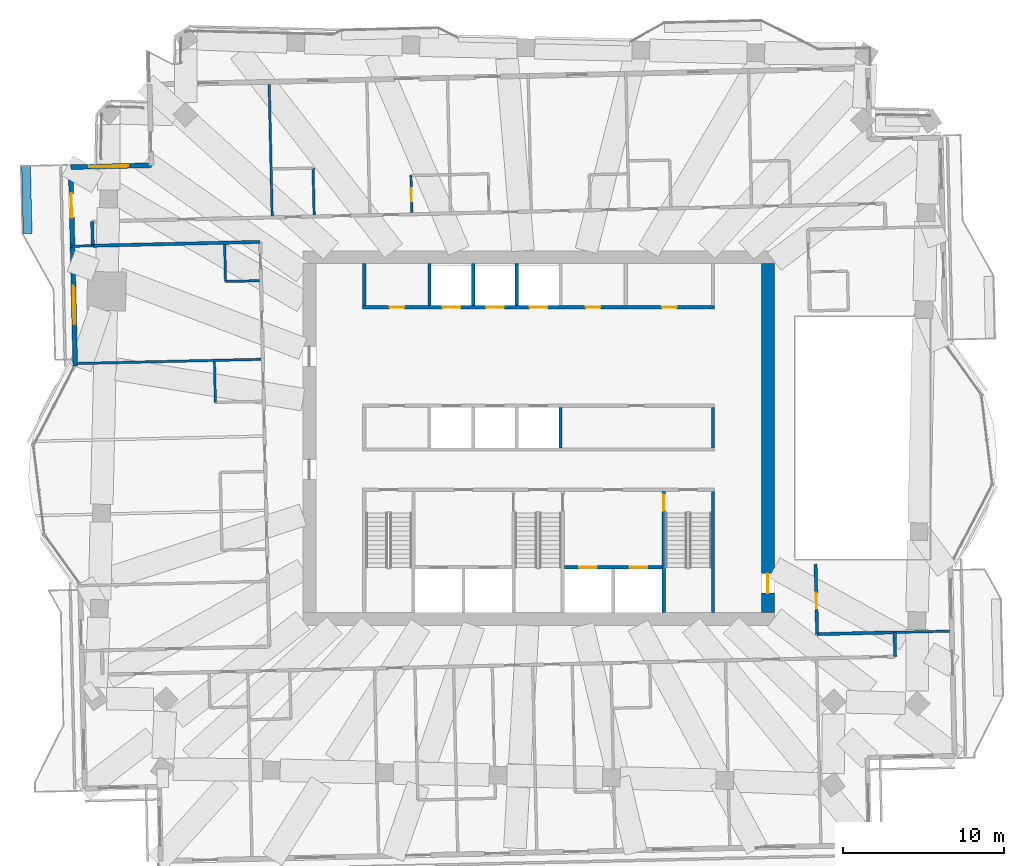
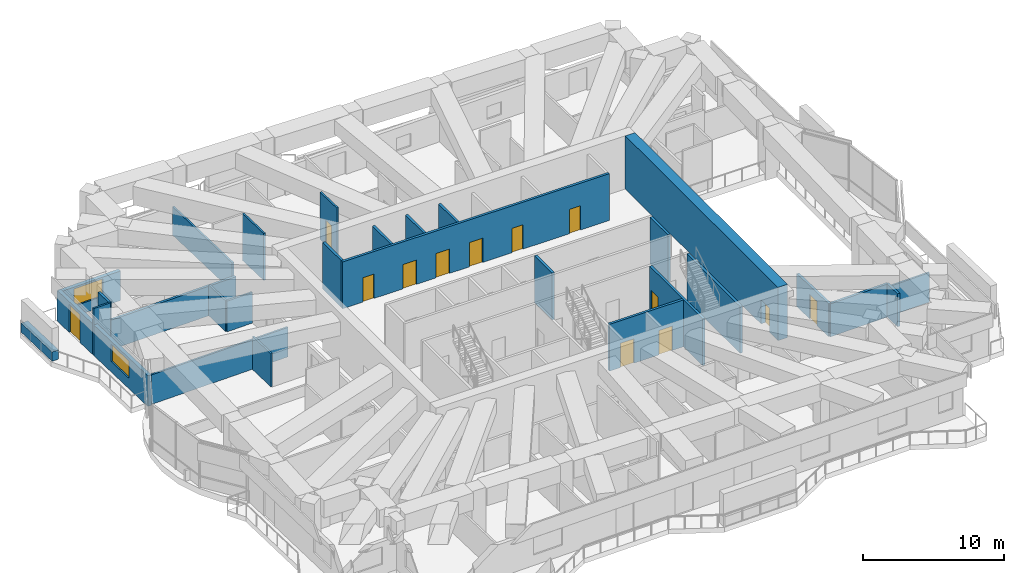
# One storey, part 12 of 19: 28 walls, 13 doors, 2 windows, 15 openings.
"""IFC4 building model written with IfcOpenShell, lengths in metres."""

from ifc_helpers import new_model, si_unit, direction, frame, frame_2d, origin, place, context, subcontext, project, spatial, rectangle, extrude, material, layer, layer_set, type_object, element, fill, save


model = new_model("IFC4")

# Units and contexts
model_context = context("Model", 3, precision=1e-05, world=origin(), true_north=direction((0.0, 1.0)))
body_context = subcontext(model_context, "Body", "Model", "MODEL_VIEW")
ifc_project = project(units=[si_unit("LENGTHUNIT", "METRE"), si_unit("AREAUNIT", "SQUARE_METRE"), si_unit("VOLUMEUNIT", "CUBIC_METRE"), si_unit("PLANEANGLEUNIT", "RADIAN"), si_unit("MASSUNIT", "GRAM", prefix="KILO")], contexts=[model_context])

# Site, building, storey
site_placement = place(None, origin())
site = spatial("IfcSite", under=ifc_project, at=site_placement, CompositionType="ELEMENT")
building_placement = place(site_placement, origin())
building = spatial("IfcBuilding", under=site, at=building_placement, Name="Mangrove Gate Tower", CompositionType="ELEMENT")
storey_placement = place(building_placement, frame((0.0, 0.0, 226.5)))
storey = spatial("IfcBuildingStorey", under=building, at=storey_placement, Name="L57", CompositionType="ELEMENT", Elevation=226.5)

# Walls
ifc_material_1 = material(Name="Concrete C32/40", Category="concrete")
ifc_layer_1 = layer(ifc_material_1, 0.199951171875)
ifc_layer_set_1 = layer_set([ifc_layer_1], Name="Core room wall 200 C32/40")
wall_type_1 = type_object("IfcWallType", Name="Core room wall 200 C32/40", PredefinedType="STANDARD", material=ifc_layer_set_1)
wall_1_placement = place(storey_placement, frame((10.800048828125, -0.60009765625, 0.0), z_axis=(0.0, 0.0, 1.0), x_axis=(0.0, 1.0, 0.0)))
element("IfcWall", 1, at=wall_1_placement, inside=storey, type_object=wall_type_1, Name="WALL-L57-CORE-24", PredefinedType="STANDARD", context=body_context, shape_type="SweptSolid", body=[
    extrude(rectangle(XDim=2.5, YDim=0.199951171875, at=frame_2d((1.25, 0.0))), origin(), (0.0, 0.0, 1.0), 4.050048828125),
])
wall_2_placement = place(storey_placement, frame((-10.800048828125, 8.199951171875, 0.0), z_axis=(0.0, 0.0, 1.0), x_axis=(0.0, 1.0, 0.0)))
element("IfcWall", 2, at=wall_2_placement, inside=storey, type_object=wall_type_1, Name="WALL-L57-CORE-25", PredefinedType="STANDARD", context=body_context, shape_type="SweptSolid", body=[
    extrude(rectangle(XDim=2.60009765625, YDim=0.199951171875, at=frame_2d((1.300048828125, 0.0))), origin(), (0.0, 0.0, 1.0), 4.050048828125),
])

# Wall, openings, doors
ifc_material_2 = material(Name="Concrete C60/75", Category="concrete")
ifc_layer_2 = layer(ifc_material_2, 0.199951171875)
ifc_layer_set_2 = layer_set([ifc_layer_2], Name="Core shaft wall 200 C60/75")
wall_type_2 = type_object("IfcWallType", Name="Core shaft wall 200 C60/75", PredefinedType="SHEAR", material=ifc_layer_set_2)
wall_3_placement = place(storey_placement, frame((-10.89990234375, 8.10009765625, 0.0), z_axis=(0.0, 0.0, 1.0), x_axis=(1.0, 0.0, 0.0)))
wall_3 = element("IfcWall", 3, at=wall_3_placement, inside=storey, type_object=wall_type_2, Name="WALL-L57-CORE-8", PredefinedType="SHEAR", context=body_context, shape_type="SweptSolid", body=[
    extrude(rectangle(XDim=21.7998046875, YDim=0.199951171875, at=frame_2d((10.89990234375, 0.0))), origin(), (0.0, 0.0, 1.0), 4.050048828125),
])
opening_1_placement = place(wall_3_placement, frame((4.949951171875, 0.0, 0.0)))
opening_1 = element("IfcOpeningElement", 4, at=opening_1_placement, cuts=wall_3, Name="Opening LD", PredefinedType="OPENING", context=body_context, shape_type="SweptSolid", body=[
    extrude(rectangle(XDim=1.10009765625, YDim=2.10009765625, at=frame_2d((0.550048828125, 1.050048828125))), frame((0.0, 0.10986328125, 0.0), z_axis=(0.0, -1.0, 0.0), x_axis=(1.0, 0.0, 0.0)), (0.0, 0.0, 1.0), 0.219970703125),
])
opening_2_placement = place(wall_3_placement, frame((7.64990234375, 0.0, 0.0)))
opening_2 = element("IfcOpeningElement", 5, at=opening_2_placement, cuts=wall_3, Name="Opening LD", PredefinedType="OPENING", context=body_context, shape_type="SweptSolid", body=[
    extrude(rectangle(XDim=1.10009765625, YDim=2.10009765625, at=frame_2d((0.550048828125, 1.050048828125))), frame((0.0, 0.10986328125, 0.0), z_axis=(0.0, -1.0, 0.0), x_axis=(1.0, 0.0, 0.0)), (0.0, 0.0, 1.0), 0.219970703125),
])
opening_3_placement = place(wall_3_placement, frame((10.35009765625, 0.0, 0.0)))
opening_3 = element("IfcOpeningElement", 6, at=opening_3_placement, cuts=wall_3, Name="Opening LD", PredefinedType="OPENING", context=body_context, shape_type="SweptSolid", body=[
    extrude(rectangle(XDim=1.10009765625, YDim=2.10009765625, at=frame_2d((0.550048828125, 1.050048828125))), frame((0.0, 0.10986328125, 0.0), z_axis=(0.0, -1.0, 0.0), x_axis=(1.0, 0.0, 0.0)), (0.0, 0.0, 1.0), 0.219970703125),
])
opening_4_placement = place(wall_3_placement, frame((1.675048828125, 0.0, 0.0)))
opening_4 = element("IfcOpeningElement", 7, at=opening_4_placement, cuts=wall_3, Name="Opening RD", PredefinedType="OPENING", context=body_context, shape_type="SweptSolid", body=[
    extrude(rectangle(XDim=0.89990234375, YDim=2.10009765625, at=frame_2d((0.449951171875, 1.050048828125))), frame((0.0, 0.10986328125, 0.0), z_axis=(0.0, -1.0, 0.0), x_axis=(1.0, 0.0, 0.0)), (0.0, 0.0, 1.0), 0.219970703125),
])
opening_5_placement = place(wall_3_placement, frame((13.824951171875, 0.0, 0.0)))
opening_5 = element("IfcOpeningElement", 8, at=opening_5_placement, cuts=wall_3, Name="Opening RD", PredefinedType="OPENING", context=body_context, shape_type="SweptSolid", body=[
    extrude(rectangle(XDim=0.89990234375, YDim=2.10009765625, at=frame_2d((0.449951171875, 1.050048828125))), frame((0.0, 0.10986328125, 0.0), z_axis=(0.0, -1.0, 0.0), x_axis=(1.0, 0.0, 0.0)), (0.0, 0.0, 1.0), 0.219970703125),
])
opening_6_placement = place(wall_3_placement, frame((18.550048828125, 0.0, 0.0)))
opening_6 = element("IfcOpeningElement", 9, at=opening_6_placement, cuts=wall_3, Name="Opening KD", PredefinedType="OPENING", context=body_context, shape_type="SweptSolid", body=[
    extrude(rectangle(XDim=0.89990234375, YDim=2.10009765625, at=frame_2d((0.449951171875, 1.050048828125))), frame((0.0, 0.10986328125, 0.0), z_axis=(0.0, -1.0, 0.0), x_axis=(1.0, 0.0, 0.0)), (0.0, 0.0, 1.0), 0.219970703125),
])
ifc_material_3 = material(Name="Fire-rated steel door set", Category="steel")
door_type_1 = type_object("IfcDoorType", Name="Core room door FD30S 900x2100", OperationType="SINGLE_SWING_RIGHT", PredefinedType="DOOR", material=ifc_material_3)
door_1_placement = place(opening_6_placement, origin())
door_1 = element("IfcDoor", 10, at=door_1_placement, inside=storey, type_object=door_type_1, Name="Core room door Core WC", OperationType="SINGLE_SWING_RIGHT", OverallHeight=2.10009765625, OverallWidth=0.89990234375, PredefinedType="DOOR", context=body_context, shape_type="SweptSolid", body=[
    extrude(rectangle(XDim=0.89990234375, YDim=2.10009765625, at=frame_2d((0.449951171875, 1.050048828125))), frame((0.0, 0.02490234375, 0.0), z_axis=(0.0, -1.0, 0.0), x_axis=(1.0, 0.0, 0.0)), (0.0, 0.0, 1.0), 0.050048828125),
])
fill(opening_6, door_1)
ifc_material_4 = material(Name="Stainless steel 316", Category="steel")
door_type_2 = type_object("IfcDoorType", Name="Lift landing door 1100x2100", OperationType="SLIDING_TO_LEFT", PredefinedType="DOOR", material=ifc_material_4)
door_2_placement = place(opening_1_placement, origin())
door_2 = element("IfcDoor", 11, at=door_2_placement, inside=storey, type_object=door_type_2, Name="Landing door LD H04", OperationType="SLIDING_TO_LEFT", OverallHeight=2.10009765625, OverallWidth=1.10009765625, PredefinedType="DOOR", context=body_context, shape_type="SweptSolid", body=[
    extrude(rectangle(XDim=1.10009765625, YDim=2.10009765625, at=frame_2d((0.550048828125, 1.050048828125))), frame((0.0, 0.02490234375, 0.0), z_axis=(0.0, -1.0, 0.0), x_axis=(1.0, 0.0, 0.0)), (0.0, 0.0, 1.0), 0.050048828125),
])
fill(opening_1, door_2)
door_3_placement = place(opening_2_placement, origin())
door_3 = element("IfcDoor", 12, at=door_3_placement, inside=storey, type_object=door_type_2, Name="Landing door LD H05", OperationType="SLIDING_TO_LEFT", OverallHeight=2.10009765625, OverallWidth=1.10009765625, PredefinedType="DOOR", context=body_context, shape_type="SweptSolid", body=[
    extrude(rectangle(XDim=1.10009765625, YDim=2.10009765625, at=frame_2d((0.550048828125, 1.050048828125))), frame((0.0, 0.02490234375, 0.0), z_axis=(0.0, -1.0, 0.0), x_axis=(1.0, 0.0, 0.0)), (0.0, 0.0, 1.0), 0.050048828125),
])
fill(opening_2, door_3)
door_4_placement = place(opening_3_placement, origin())
door_4 = element("IfcDoor", 13, at=door_4_placement, inside=storey, type_object=door_type_2, Name="Landing door LD H06", OperationType="SLIDING_TO_LEFT", OverallHeight=2.10009765625, OverallWidth=1.10009765625, PredefinedType="DOOR", context=body_context, shape_type="SweptSolid", body=[
    extrude(rectangle(XDim=1.10009765625, YDim=2.10009765625, at=frame_2d((0.550048828125, 1.050048828125))), frame((0.0, 0.02490234375, 0.0), z_axis=(0.0, -1.0, 0.0), x_axis=(1.0, 0.0, 0.0)), (0.0, 0.0, 1.0), 0.050048828125),
])
fill(opening_3, door_4)
ifc_material_5 = material(Name="Fire-rated steel door set", Category="steel")
door_type_3 = type_object("IfcDoorType", Name="Riser door FD30S 900x2100", OperationType="SINGLE_SWING_LEFT", PredefinedType="DOOR", material=ifc_material_5)
door_5_placement = place(opening_4_placement, origin())
door_5 = element("IfcDoor", 14, at=door_5_placement, inside=storey, type_object=door_type_3, Name="Riser door Switch room", OperationType="SINGLE_SWING_LEFT", OverallHeight=2.10009765625, OverallWidth=0.89990234375, PredefinedType="DOOR", context=body_context, shape_type="SweptSolid", body=[
    extrude(rectangle(XDim=0.89990234375, YDim=2.10009765625, at=frame_2d((0.449951171875, 1.050048828125))), frame((0.0, 0.02490234375, 0.0), z_axis=(0.0, -1.0, 0.0), x_axis=(1.0, 0.0, 0.0)), (0.0, 0.0, 1.0), 0.050048828125),
])
fill(opening_4, door_5)
door_6_placement = place(opening_5_placement, origin())
door_6 = element("IfcDoor", 15, at=door_6_placement, inside=storey, type_object=door_type_3, Name="Riser door Comms room", OperationType="SINGLE_SWING_LEFT", OverallHeight=2.10009765625, OverallWidth=0.89990234375, PredefinedType="DOOR", context=body_context, shape_type="SweptSolid", body=[
    extrude(rectangle(XDim=0.89990234375, YDim=2.10009765625, at=frame_2d((0.449951171875, 1.050048828125))), frame((0.0, 0.02490234375, 0.0), z_axis=(0.0, -1.0, 0.0), x_axis=(1.0, 0.0, 0.0)), (0.0, 0.0, 1.0), 0.050048828125),
])
fill(opening_5, door_6)

wall_4_placement = place(storey_placement, frame((1.60009765625, -8.0, 0.0), z_axis=(0.0, 0.0, 1.0), x_axis=(1.0, 0.0, 0.0)))
wall_4 = element("IfcWall", 16, at=wall_4_placement, inside=storey, type_object=wall_type_2, Name="WALL-L57-CORE-17", PredefinedType="SHEAR", context=body_context, shape_type="SweptSolid", body=[
    extrude(rectangle(XDim=6.0498046875, YDim=0.199951171875, at=frame_2d((3.02490234375, 0.0))), origin(), (0.0, 0.0, 1.0), 4.050048828125),
])
opening_7_placement = place(wall_4_placement, frame((0.91259765625, 0.0, 0.0)))
opening_7 = element("IfcOpeningElement", 17, at=opening_7_placement, cuts=wall_4, Name="Opening LD", PredefinedType="OPENING", context=body_context, shape_type="SweptSolid", body=[
    extrude(rectangle(XDim=1.10009765625, YDim=2.10009765625, at=frame_2d((0.550048828125, 1.050048828125))), frame((0.0, 0.10986328125, 0.0), z_axis=(0.0, -1.0, 0.0), x_axis=(1.0, 0.0, 0.0)), (0.0, 0.0, 1.0), 0.219970703125),
])
opening_8_placement = place(wall_4_placement, frame((4.03759765625, 0.0, 0.0)))
opening_8 = element("IfcOpeningElement", 18, at=opening_8_placement, cuts=wall_4, Name="Opening LD", PredefinedType="OPENING", context=body_context, shape_type="SweptSolid", body=[
    extrude(rectangle(XDim=1.10009765625, YDim=2.10009765625, at=frame_2d((0.550048828125, 1.050048828125))), frame((0.0, 0.10986328125, 0.0), z_axis=(0.0, -1.0, 0.0), x_axis=(1.0, 0.0, 0.0)), (0.0, 0.0, 1.0), 0.219970703125),
])
door_7_placement = place(opening_7_placement, origin())
door_7 = element("IfcDoor", 19, at=door_7_placement, inside=storey, type_object=door_type_2, Name="Landing door LD FFL1", OperationType="SLIDING_TO_LEFT", OverallHeight=2.10009765625, OverallWidth=1.10009765625, PredefinedType="DOOR", context=body_context, shape_type="SweptSolid", body=[
    extrude(rectangle(XDim=1.10009765625, YDim=2.10009765625, at=frame_2d((0.550048828125, 1.050048828125))), frame((0.0, 0.02490234375, 0.0), z_axis=(0.0, -1.0, 0.0), x_axis=(1.0, 0.0, 0.0)), (0.0, 0.0, 1.0), 0.050048828125),
])
fill(opening_7, door_7)
door_8_placement = place(opening_8_placement, origin())
door_8 = element("IfcDoor", 20, at=door_8_placement, inside=storey, type_object=door_type_2, Name="Landing door LD FFL2", OperationType="SLIDING_TO_LEFT", OverallHeight=2.10009765625, OverallWidth=1.10009765625, PredefinedType="DOOR", context=body_context, shape_type="SweptSolid", body=[
    extrude(rectangle(XDim=1.10009765625, YDim=2.10009765625, at=frame_2d((0.550048828125, 1.050048828125))), frame((0.0, 0.02490234375, 0.0), z_axis=(0.0, -1.0, 0.0), x_axis=(1.0, 0.0, 0.0)), (0.0, 0.0, 1.0), 0.050048828125),
])
fill(opening_8, door_8)

# Walls
wall_5_placement = place(storey_placement, frame((1.35009765625, -0.60009765625, 0.0), z_axis=(0.0, 0.0, 1.0), x_axis=(0.0, 1.0, 0.0)))
element("IfcWall", 21, at=wall_5_placement, inside=storey, type_object=wall_type_2, Name="WALL-L57-CORE-23", PredefinedType="SHEAR", context=body_context, shape_type="SweptSolid", body=[
    extrude(rectangle(XDim=2.5, YDim=0.199951171875, at=frame_2d((1.25, 0.0))), origin(), (0.0, 0.0, 1.0), 4.050048828125),
])
for number, where, z_axis, x_axis, name in (
    (22, (-6.75, 8.199951171875, 0.0), (0.0, 0.0, 1.0), (0.0, 1.0, 0.0), "WALL-L57-CORE-26"),
    (23, (-4.050048828125, 8.199951171875, 0.0), (0.0, 0.0, 1.0), (0.0, 1.0, 0.0), "WALL-L57-CORE-27"),
    (24, (-1.35009765625, 8.199951171875, 0.0), (0.0, 0.0, 1.0), (0.0, 1.0, 0.0), "WALL-L57-CORE-28"),
):
    element("IfcWall", number, at=place(storey_placement, frame(where, z_axis=z_axis, x_axis=x_axis)), inside=storey, type_object=wall_type_2, Name=name, PredefinedType="SHEAR", context=body_context, shape_type="SweptSolid", body=[
        extrude(rectangle(XDim=2.60009765625, YDim=0.199951171875, at=frame_2d((1.300048828125, 0.0))), origin(), (0.0, 0.0, 1.0), 4.050048828125),
    ])

# Wall, opening, door
ifc_material_6 = material(Name="Concrete C60/75", Category="concrete")
ifc_layer_3 = layer(ifc_material_6, 0.199951171875)
ifc_layer_set_3 = layer_set([ifc_layer_3], Name="Core stair wall 200 C60/75")
wall_type_3 = type_object("IfcWallType", Name="Core stair wall 200 C60/75", PredefinedType="SHEAR", material=ifc_layer_set_3)
wall_6_placement = place(storey_placement, frame((7.75, -10.800048828125, 0.0), z_axis=(0.0, 0.0, 1.0), x_axis=(0.0, 1.0, 0.0)))
wall_6 = element("IfcWall", 25, at=wall_6_placement, inside=storey, type_object=wall_type_3, Name="WALL-L57-CORE-13", PredefinedType="SHEAR", context=body_context, shape_type="SweptSolid", body=[
    extrude(rectangle(XDim=7.5, YDim=0.199951171875, at=frame_2d((3.75, 0.0))), origin(), (0.0, 0.0, 1.0), 4.050048828125),
])
opening_9_placement = place(wall_6_placement, frame((6.300048828125, 0.0, 0.0)))
opening_9 = element("IfcOpeningElement", 26, at=opening_9_placement, cuts=wall_6, Name="Opening STD10", PredefinedType="OPENING", context=body_context, shape_type="SweptSolid", body=[
    extrude(rectangle(XDim=1.0, YDim=2.10009765625, at=frame_2d((0.5, 1.050048828125))), frame((0.0, 0.10986328125, 0.0), z_axis=(0.0, -1.0, 0.0), x_axis=(1.0, 0.0, 0.0)), (0.0, 0.0, 1.0), 0.219970703125),
])
ifc_material_7 = material(Name="Fire-rated steel door set", Category="steel")
door_type_4 = type_object("IfcDoorType", Name="Stair door FD60 1000x2100", OperationType="SINGLE_SWING_RIGHT", PredefinedType="DOOR", material=ifc_material_7)
door_9_placement = place(opening_9_placement, origin())
door_9 = element("IfcDoor", 27, at=door_9_placement, inside=storey, type_object=door_type_4, Name="Stair door Stair 3 from fire-fighting lobby", OperationType="SINGLE_SWING_RIGHT", OverallHeight=2.10009765625, OverallWidth=1.0, PredefinedType="DOOR", context=body_context, shape_type="SweptSolid", body=[
    extrude(rectangle(XDim=1.0, YDim=2.10009765625, at=frame_2d((0.5, 1.050048828125))), frame((0.0, 0.02490234375, 0.0), z_axis=(0.0, -1.0, 0.0), x_axis=(1.0, 0.0, 0.0)), (0.0, 0.0, 1.0), 0.050048828125),
])
fill(opening_9, door_9)

# Wall
wall_7_placement = place(storey_placement, frame((10.800048828125, -10.800048828125, 0.0), z_axis=(0.0, 0.0, 1.0), x_axis=(0.0, 1.0, 0.0)))
element("IfcWall", 28, at=wall_7_placement, inside=storey, type_object=wall_type_3, Name="WALL-L57-CORE-14", PredefinedType="SHEAR", context=body_context, shape_type="SweptSolid", body=[
    extrude(rectangle(XDim=7.5, YDim=0.199951171875, at=frame_2d((3.75, 0.0))), origin(), (0.0, 0.0, 1.0), 4.050048828125),
])

# Wall, opening, door
ifc_material_8 = material(Name="Concrete C60/75", Category="concrete")
ifc_layer_4 = layer(ifc_material_8, 0.800048828125)
ifc_layer_set_4 = layer_set([ifc_layer_4], Name="Core wall 800 C60/75")
wall_type_4 = type_object("IfcWallType", Name="Core wall 800 C60/75", PredefinedType="SHEAR", material=ifc_layer_set_4)
wall_8_placement = place(storey_placement, frame((14.199951171875, -10.800048828125, 0.0), z_axis=(0.0, 0.0, 1.0), x_axis=(0.0, 1.0, 0.0)))
wall_8 = element("IfcWall", 29, at=wall_8_placement, inside=storey, type_object=wall_type_4, Name="WALL-L57-CORE-4", PredefinedType="SHEAR", context=body_context, shape_type="SweptSolid", body=[
    extrude(rectangle(XDim=21.60009765625, YDim=0.800048828125, at=frame_2d((10.800048828125, 0.0))), origin(), (0.0, 0.0, 1.0), 4.60009765625),
])
opening_10_placement = place(wall_8_placement, frame((1.199951171875, 0.0, 0.0)))
opening_10 = element("IfcOpeningElement", 30, at=opening_10_placement, cuts=wall_8, Name="Opening CD", PredefinedType="OPENING", context=body_context, shape_type="SweptSolid", body=[
    extrude(rectangle(XDim=1.199951171875, YDim=2.10009765625, at=frame_2d((0.60009765625, 1.050048828125))), frame((0.0, 0.409912109375, 0.0), z_axis=(0.0, -1.0, 0.0), x_axis=(1.0, 0.0, 0.0)), (0.0, 0.0, 1.0), 0.820068359375),
])
ifc_material_9 = material(Name="Fire-rated steel door set", Category="steel")
door_type_5 = type_object("IfcDoorType", Name="Core ring door FD60 1200x2100", OperationType="DOUBLE_DOOR_SINGLE_SWING", PredefinedType="DOOR", material=ifc_material_9)
door_10_placement = place(opening_10_placement, origin())
door_10 = element("IfcDoor", 31, at=door_10_placement, inside=storey, type_object=door_type_5, Name="Core ring door E1", OperationType="DOUBLE_DOOR_SINGLE_SWING", OverallHeight=2.10009765625, OverallWidth=1.199951171875, PredefinedType="DOOR", context=body_context, shape_type="SweptSolid", body=[
    extrude(rectangle(XDim=1.199951171875, YDim=2.10009765625, at=frame_2d((0.60009765625, 1.050048828125))), frame((0.0, 0.02490234375, 0.0), z_axis=(0.0, -1.0, 0.0), x_axis=(1.0, 0.0, 0.0)), (0.0, 0.0, 1.0), 0.050048828125),
])
fill(opening_10, door_10)

# Wall
ifc_material_10 = material(Name="Gypsum board on steel stud, EI 60", Category="steel")
ifc_layer_5 = layer(ifc_material_10, 0.199951171875)
ifc_layer_set_5 = layer_set([ifc_layer_5], Name="Corridor wall EI 60")
wall_type_5 = type_object("IfcWallType", Name="Corridor wall EI 60", PredefinedType="PARTITIONING", material=ifc_layer_set_5)
wall_9_placement = place(storey_placement, frame((22.0859375, -13.5400390625, 0.0), z_axis=(0.0, 0.0, 1.0), x_axis=(-0.022617910375, 0.999744182344, 0.0)))
element("IfcWall", 32, at=wall_9_placement, inside=storey, type_object=wall_type_5, Name="WALL-L57-020", PredefinedType="PARTITIONING", context=body_context, shape_type="SweptSolid", body=[
    extrude(rectangle(XDim=1.50048828125, YDim=0.199951171875, at=frame_2d((0.750244140625, 0.0))), origin(), (0.0, 0.0, 1.0), 2.85009765625),
])

# Wall, opening, door
wall_10_placement = place(storey_placement, frame((17.2529296875, -12.14892578125, 0.0), z_axis=(0.0, 0.0, 1.0), x_axis=(-0.022578158225, 0.999745080894, 0.0)))
wall_10 = element("IfcWall", 33, at=wall_10_placement, inside=storey, type_object=wall_type_5, Name="WALL-L57-023", PredefinedType="PARTITIONING", context=body_context, shape_type="SweptSolid", body=[
    extrude(rectangle(XDim=4.336181640625, YDim=0.199951171875, at=frame_2d((2.16796875, 0.0))), origin(), (0.0, 0.0, 1.0), 2.85009765625),
])
opening_11_placement = place(wall_10_placement, frame((1.56591796875, 0.0, 0.0)))
opening_11 = element("IfcOpeningElement", 34, at=opening_11_placement, cuts=wall_10, Name="Opening AD", PredefinedType="OPENING", context=body_context, shape_type="SweptSolid", body=[
    extrude(rectangle(XDim=1.0, YDim=2.10009765625, at=frame_2d((0.5, 1.050048828125))), frame((0.0, 0.10986328125, 0.0), z_axis=(0.0, -1.0, 0.0), x_axis=(1.0, 0.0, 0.0)), (0.0, 0.0, 1.0), 0.219970703125),
])
ifc_material_11 = material(Name="Timber door leaf", Category="wood")
door_type_6 = type_object("IfcDoorType", Name="Amenity door 1000", OperationType="SINGLE_SWING_LEFT", PredefinedType="DOOR", material=ifc_material_11)
door_11_placement = place(opening_11_placement, origin())
door_11 = element("IfcDoor", 35, at=door_11_placement, inside=storey, type_object=door_type_6, Name="DOOR-L57-KIT-c3b", OperationType="SINGLE_SWING_RIGHT", OverallHeight=2.10009765625, OverallWidth=1.0, PredefinedType="DOOR", context=body_context, shape_type="SweptSolid", body=[
    extrude(rectangle(XDim=1.0, YDim=2.10009765625, at=frame_2d((0.5, 1.050048828125))), frame((0.0, 0.02490234375, 0.0), z_axis=(0.0, -1.0, 0.0), x_axis=(1.0, 0.0, 0.0)), (0.0, 0.0, 1.0), 0.050048828125),
])
fill(opening_11, door_11)

# Walls
wall_11_placement = place(storey_placement, frame((17.248046875, -12.14501953125, 0.0), z_axis=(0.0, 0.0, 1.0), x_axis=(0.999741966705, 0.022715633565, 0.0)))
element("IfcWall", 36, at=wall_11_placement, inside=storey, type_object=wall_type_5, Name="WALL-L57-026", PredefinedType="PARTITIONING", context=body_context, shape_type="SweptSolid", body=[
    extrude(rectangle(XDim=4.80419921875, YDim=0.199951171875, at=frame_2d((2.402099609375, 0.0))), origin(), (0.0, 0.0, 1.0), 2.85009765625),
])
wall_12_placement = place(storey_placement, frame((-27.617919921875, 11.9130859375, 0.0), z_axis=(0.0, 0.0, 1.0), x_axis=(0.999741483035, 0.022736910479, 0.0)))
element("IfcWall", 37, at=wall_12_placement, inside=storey, type_object=wall_type_5, Name="WALL-L57-044", PredefinedType="PARTITIONING", context=body_context, shape_type="SweptSolid", body=[
    extrude(rectangle(XDim=10.37255859375, YDim=0.199951171875, at=frame_2d((5.186279296875, 0.0))), origin(), (0.0, 0.0, 1.0), 2.550048828125),
])
wall_13_placement = place(storey_placement, frame((-27.614013671875, 11.9130859375, 0.0), z_axis=(0.0, 0.0, 1.0), x_axis=(-0.022617910375, 0.999744182344, 0.0)))
element("IfcWall", 38, at=wall_13_placement, inside=storey, type_object=wall_type_5, Name="WALL-L57-045", PredefinedType="PARTITIONING", context=body_context, shape_type="SweptSolid", body=[
    extrude(rectangle(XDim=1.50048828125, YDim=0.199951171875, at=frame_2d((0.750244140625, 0.0))), origin(), (0.0, 0.0, 1.0), 4.050048828125),
])

# Wall, opening, window
ifc_material_12 = material(Name="Limestone", Category="masonry")
ifc_layer_6 = layer(ifc_material_12, 0.0400390625, Name="Limestone cladding")
ifc_material_13 = material(Name="Ventilated air gap")
ifc_layer_7 = layer(ifc_material_13, 0.0400390625, Name="Ventilated cavity")
ifc_material_14 = material(Name="Mineral wool insulation")
ifc_layer_8 = layer(ifc_material_14, 0.06005859375, Name="Insulation")
ifc_material_15 = material(Name="Breather membrane")
ifc_layer_9 = layer(ifc_material_15, 0.001953125, Name="Breather membrane")
ifc_material_16 = material(Name="Concrete C20/25 blockwork", Category="masonry")
ifc_layer_10 = layer(ifc_material_16, 0.14990234375, Name="Blockwork backing wall")
ifc_material_17 = material(Name="Gypsum plaster")
ifc_layer_11 = layer(ifc_material_17, 0.008056640625, Name="Internal plaster")
ifc_layer_set_6 = layer_set([ifc_layer_6, ifc_layer_7, ifc_layer_8, ifc_layer_9, ifc_layer_10, ifc_layer_11], Name="External wall 300 limestone cladding")
wall_type_6 = type_object("IfcWallType", Name="External wall 300 limestone cladding", PredefinedType="SOLIDWALL", material=ifc_layer_set_6)
wall_14_placement = place(storey_placement, frame((-23.98095703125, 16.89697265625, 0.0), z_axis=(0.0, 0.0, 1.0), x_axis=(-0.999744350543, -0.022610474516, 0.0)))
wall_14 = element("IfcWall", 39, at=wall_14_placement, inside=storey, type_object=wall_type_6, Name="WALL-L57-N7", PredefinedType="SOLIDWALL", context=body_context, shape_type="SweptSolid", body=[
    extrude(rectangle(XDim=4.999267578125, YDim=0.300048828125, at=frame_2d((2.49951171875, 0.0))), origin(), (0.0, 0.0, 1.0), 2.550048828125),
])
opening_12_placement = place(wall_14_placement, frame((1.449951171875, 0.0, 0.89990234375)))
opening_12 = element("IfcOpeningElement", 40, at=opening_12_placement, cuts=wall_14, Name="Opening W2", PredefinedType="OPENING", context=body_context, shape_type="SweptSolid", body=[
    extrude(rectangle(XDim=2.39990234375, YDim=1.5, at=frame_2d((1.199951171875, 0.75))), frame((0.0, 0.159912109375, 0.0), z_axis=(0.0, -1.0, 0.0), x_axis=(1.0, 0.0, 0.0)), (0.0, 0.0, 1.0), 0.320068359375),
])
ifc_material_18 = material(Name="Aluminium frame with double-glazed low-e glass", Category="aluminium")
window_type = type_object("IfcWindowType", Name="Corner room window 2400x1500", PartitioningType="DOUBLE_PANEL_VERTICAL", PredefinedType="WINDOW", material=ifc_material_18)
window_1_placement = place(opening_12_placement, origin())
window_1 = element("IfcWindow", 41, at=window_1_placement, inside=storey, type_object=window_type, Name="WIN-L57-N7-1", OverallHeight=1.5, OverallWidth=2.39990234375, PartitioningType="DOUBLE_PANEL_VERTICAL", PredefinedType="WINDOW", context=body_context, shape_type="SweptSolid", body=[
    extrude(rectangle(XDim=2.39990234375, YDim=1.5, at=frame_2d((1.199951171875, 0.75))), frame((0.0, 0.030029296875, 0.0), z_axis=(0.0, -1.0, 0.0), x_axis=(1.0, 0.0, 0.0)), (0.0, 0.0, 1.0), 0.06005859375),
])
fill(opening_12, window_1)

# Wall, openings, door, window
wall_15_placement = place(storey_placement, frame((-28.97900390625, 16.783935546875, 0.0), z_axis=(0.0, 0.0, 1.0), x_axis=(0.022639069896, -0.999743703413, 0.0)))
wall_15 = element("IfcWall", 42, at=wall_15_placement, inside=storey, type_object=wall_type_6, Name="WALL-L57-W8", PredefinedType="SOLIDWALL", context=body_context, shape_type="SweptSolid", body=[
    extrude(rectangle(XDim=12.326171875, YDim=0.300048828125, at=frame_2d((6.1630859375, 0.0))), origin(), (0.0, 0.0, 1.0), 2.64990234375),
])
opening_13_placement = place(wall_15_placement, frame((1.625, 0.0, 0.0)))
opening_13 = element("IfcOpeningElement", 43, at=opening_13_placement, cuts=wall_15, Name="Opening BD1", PredefinedType="OPENING", context=body_context, shape_type="SweptSolid", body=[
    extrude(rectangle(XDim=1.5, YDim=2.39990234375, at=frame_2d((0.75, 1.199951171875))), frame((0.0, 0.159912109375, 0.0), z_axis=(0.0, -1.0, 0.0), x_axis=(1.0, 0.0, 0.0)), (0.0, 0.0, 1.0), 0.320068359375),
])
opening_14_placement = place(wall_15_placement, frame((7.337890625, 0.0, 0.89990234375)))
opening_14 = element("IfcOpeningElement", 44, at=opening_14_placement, cuts=wall_15, Name="Opening W2", PredefinedType="OPENING", context=body_context, shape_type="SweptSolid", body=[
    extrude(rectangle(XDim=2.39990234375, YDim=1.5, at=frame_2d((1.199951171875, 0.75))), frame((0.0, 0.159912109375, 0.0), z_axis=(0.0, -1.0, 0.0), x_axis=(1.0, 0.0, 0.0)), (0.0, 0.0, 1.0), 0.320068359375),
])
ifc_material_19 = material(Name="Aluminium frame with laminated clear glass", Category="aluminium")
door_type_7 = type_object("IfcDoorType", Name="Balcony sliding door 1500x2400", OperationType="SLIDING_TO_LEFT", PredefinedType="DOOR", material=ifc_material_19)
door_12_placement = place(opening_13_placement, origin())
door_12 = element("IfcDoor", 45, at=door_12_placement, inside=storey, type_object=door_type_7, Name="DOOR-L57-W8-1", OperationType="SLIDING_TO_LEFT", OverallHeight=2.39990234375, OverallWidth=1.5, PredefinedType="DOOR", context=body_context, shape_type="SweptSolid", body=[
    extrude(rectangle(XDim=1.5, YDim=2.39990234375, at=frame_2d((0.75, 1.199951171875))), frame((0.0, 0.02490234375, 0.0), z_axis=(0.0, -1.0, 0.0), x_axis=(1.0, 0.0, 0.0)), (0.0, 0.0, 1.0), 0.050048828125),
])
fill(opening_13, door_12)
window_2_placement = place(opening_14_placement, origin())
window_2 = element("IfcWindow", 46, at=window_2_placement, inside=storey, type_object=window_type, Name="WIN-L57-W8-2", OverallHeight=1.5, OverallWidth=2.39990234375, PartitioningType="DOUBLE_PANEL_VERTICAL", PredefinedType="WINDOW", context=body_context, shape_type="SweptSolid", body=[
    extrude(rectangle(XDim=2.39990234375, YDim=1.5, at=frame_2d((1.199951171875, 0.75))), frame((0.0, 0.030029296875, 0.0), z_axis=(0.0, -1.0, 0.0), x_axis=(1.0, 0.0, 0.0)), (0.0, 0.0, 1.0), 0.06005859375),
])
fill(opening_14, window_2)

# Walls
ifc_material_20 = material(Name="Gypsum board on steel stud, EI 60", Category="steel")
ifc_layer_12 = layer(ifc_material_20, 0.14990234375)
ifc_layer_set_7 = layer_set([ifc_layer_12], Name="Party wall 150 EI 60")
wall_type_7 = type_object("IfcWallType", Name="Party wall 150 EI 60", PredefinedType="PARTITIONING", material=ifc_layer_set_7)
wall_16_placement = place(storey_placement, frame((22.051025390625, -12.035888671875, 0.0), z_axis=(0.0, 0.0, 1.0), x_axis=(0.999743392495, 0.022652795902, 0.0)))
element("IfcWall", 47, at=wall_16_placement, inside=storey, type_object=wall_type_7, Name="WALL-L57-027", PredefinedType="PARTITIONING", context=body_context, shape_type="SweptSolid", body=[
    extrude(rectangle(XDim=3.39501953125, YDim=0.14990234375, at=frame_2d((1.697509765625, 0.0))), origin(), (0.0, 0.0, 1.0), 2.550048828125),
])
wall_17_placement = place(storey_placement, frame((-20.02197265625, 2.2080078125, 0.0), z_axis=(0.0, 0.0, 1.0), x_axis=(-0.023015762656, 0.999735102249, 0.0)))
element("IfcWall", 48, at=wall_17_placement, inside=storey, type_object=wall_type_7, Name="WALL-L57-034", PredefinedType="PARTITIONING", context=body_context, shape_type="SweptSolid", body=[
    extrude(rectangle(XDim=2.524658203125, YDim=0.14990234375, at=frame_2d((1.26220703125, 0.0))), origin(), (0.0, 0.0, 1.0), 2.85009765625),
])
wall_18_placement = place(storey_placement, frame((-28.553955078125, 4.6201171875, 0.0), z_axis=(0.0, 0.0, 1.0), x_axis=(0.999743064147, 0.022667282356, 0.0)))
element("IfcWall", 49, at=wall_18_placement, inside=storey, type_object=wall_type_7, Name="WALL-L57-036", PredefinedType="PARTITIONING", context=body_context, shape_type="SweptSolid", body=[
    extrude(rectangle(XDim=11.373779296875, YDim=0.14990234375, at=frame_2d((5.68701171875, 0.0))), origin(), (0.0, 0.0, 1.0), 2.550048828125),
])
wall_19_placement = place(storey_placement, frame((-19.39306640625, 9.698974609375, 0.0), z_axis=(0.0, 0.0, 1.0), x_axis=(0.999737616439, 0.022906293375, 0.0)))
element("IfcWall", 50, at=wall_19_placement, inside=storey, type_object=wall_type_7, Name="WALL-L57-041", PredefinedType="PARTITIONING", context=body_context, shape_type="SweptSolid", body=[
    extrude(rectangle(XDim=2.099609375, YDim=0.14990234375, at=frame_2d((1.0498046875, 0.0))), origin(), (0.0, 0.0, 1.0), 2.64990234375),
])
wall_20_placement = place(storey_placement, frame((-19.39208984375, 9.698974609375, 0.0), z_axis=(0.0, 0.0, 1.0), x_axis=(-0.022603288534, 0.999744513037, 0.0)))
element("IfcWall", 51, at=wall_20_placement, inside=storey, type_object=wall_type_7, Name="WALL-L57-042", PredefinedType="PARTITIONING", context=body_context, shape_type="SweptSolid", body=[
    extrude(rectangle(XDim=2.300537109375, YDim=0.14990234375, at=frame_2d((1.150390625, 0.0))), origin(), (0.0, 0.0, 1.0), 2.64990234375),
])
wall_21_placement = place(storey_placement, frame((-29.01806640625, 11.881103515625, 0.0), z_axis=(0.0, 0.0, 1.0), x_axis=(0.999740667531, 0.022772739949, 0.0)))
element("IfcWall", 52, at=wall_21_placement, inside=storey, type_object=wall_type_7, Name="WALL-L57-043", PredefinedType="PARTITIONING", context=body_context, shape_type="SweptSolid", body=[
    extrude(rectangle(XDim=1.404296875, YDim=0.14990234375, at=frame_2d((0.7021484375, 0.0))), origin(), (0.0, 0.0, 1.0), 4.050048828125),
])
wall_22_placement = place(storey_placement, frame((-16.50390625, 13.76611328125, 0.0), z_axis=(0.0, 0.0, 1.0), x_axis=(-0.022586673637, 0.999744888546, 0.0)))
element("IfcWall", 53, at=wall_22_placement, inside=storey, type_object=wall_type_7, Name="WALL-L57-050", PredefinedType="PARTITIONING", context=body_context, shape_type="SweptSolid", body=[
    extrude(rectangle(XDim=8.150146484375, YDim=0.14990234375, at=frame_2d((4.0751953125, 0.0))), origin(), (0.0, 0.0, 1.0), 2.449951171875),
])
wall_23_placement = place(storey_placement, frame((-13.904052734375, 13.824951171875, 0.0), z_axis=(0.0, 0.0, 1.0), x_axis=(-0.022730967319, 0.999741618182, 0.0)))
element("IfcWall", 54, at=wall_23_placement, inside=storey, type_object=wall_type_7, Name="WALL-L57-051", PredefinedType="PARTITIONING", context=body_context, shape_type="SweptSolid", body=[
    extrude(rectangle(XDim=2.89990234375, YDim=0.14990234375, at=frame_2d((1.449951171875, 0.0))), origin(), (0.0, 0.0, 1.0), 4.050048828125),
])

# Wall, opening, door
wall_24_placement = place(storey_placement, frame((-7.85595703125, 13.9619140625, 0.0), z_axis=(0.0, 0.0, 1.0), x_axis=(-0.022612884682, 0.999744296031, 0.0)))
wall_24 = element("IfcWall", 55, at=wall_24_placement, inside=storey, type_object=wall_type_7, Name="WALL-L57-053", PredefinedType="PARTITIONING", context=body_context, shape_type="SweptSolid", body=[
    extrude(rectangle(XDim=2.299560546875, YDim=0.14990234375, at=frame_2d((1.14990234375, 0.0))), origin(), (0.0, 0.0, 1.0), 4.050048828125),
])
opening_15_placement = place(wall_24_placement, frame((0.699951171875, 0.0, 0.0)))
opening_15 = element("IfcOpeningElement", 56, at=opening_15_placement, cuts=wall_24, Name="Opening ED", PredefinedType="OPENING", context=body_context, shape_type="SweptSolid", body=[
    extrude(rectangle(XDim=0.800048828125, YDim=2.10009765625, at=frame_2d((0.39990234375, 1.050048828125))), frame((0.0, 0.0849609375, 0.0), z_axis=(0.0, -1.0, 0.0), x_axis=(1.0, 0.0, 0.0)), (0.0, 0.0, 1.0), 0.169921875),
])
ifc_material_21 = material(Name="Timber door leaf", Category="wood")
door_type_8 = type_object("IfcDoorType", Name="En-suite door 800", OperationType="SINGLE_SWING_LEFT", PredefinedType="DOOR", material=ifc_material_21)
door_13_placement = place(opening_15_placement, origin())
door_13 = element("IfcDoor", 57, at=door_13_placement, inside=storey, type_object=door_type_8, Name="DOOR-L57-ENS-c506", OperationType="SINGLE_SWING_RIGHT", OverallHeight=2.10009765625, OverallWidth=0.800048828125, PredefinedType="DOOR", context=body_context, shape_type="SweptSolid", body=[
    extrude(rectangle(XDim=0.800048828125, YDim=2.10009765625, at=frame_2d((0.39990234375, 1.050048828125))), frame((0.0, 0.02490234375, 0.0), z_axis=(0.0, -1.0, 0.0), x_axis=(1.0, 0.0, 0.0)), (0.0, 0.0, 1.0), 0.050048828125),
])
fill(opening_15, door_13)

# Wall
ifc_material_22 = material(Name="Concrete C32/40", Category="concrete")
ifc_layer_13 = layer(ifc_material_22, 0.199951171875, Name="Planter trough wall")
ifc_material_23 = material(Name="Bituminous waterproofing membrane")
ifc_layer_14 = layer(ifc_material_23, 0.0048828125, Name="Waterproofing")
ifc_material_24 = material(Name="Drainage board and gravel")
ifc_layer_15 = layer(ifc_material_24, 0.044921875, Name="Drainage layer")
ifc_material_25 = material(Name="Planting soil")
ifc_layer_16 = layer(ifc_material_25, 0.300048828125, Name="Growing medium")
ifc_layer_set_8 = layer_set([ifc_layer_13, ifc_layer_14, ifc_layer_15, ifc_layer_16], Name="Planter wall 550 C32/40")
wall_type_8 = type_object("IfcWallType", Name="Planter wall 550 C32/40", PredefinedType="USERDEFINED", material=ifc_layer_set_8)
wall_25_placement = place(storey_placement, frame((-31.652099609375, 12.672119140625, 0.0), z_axis=(0.0, 0.0, 1.0), x_axis=(-0.022611811187, 0.999744320311, 0.0)))
element("IfcWall", 58, at=wall_25_placement, inside=storey, type_object=wall_type_8, Name="PLANTER L57 W0.1", ObjectType="PLANTER", PredefinedType="USERDEFINED", context=body_context, shape_type="SweptSolid", body=[
    extrude(rectangle(XDim=4.199951171875, YDim=0.550048828125, at=frame_2d((2.10009765625, 0.0))), origin(), (0.0, 0.0, 1.0), 0.800048828125),
])

save(model, "model.ifc")
